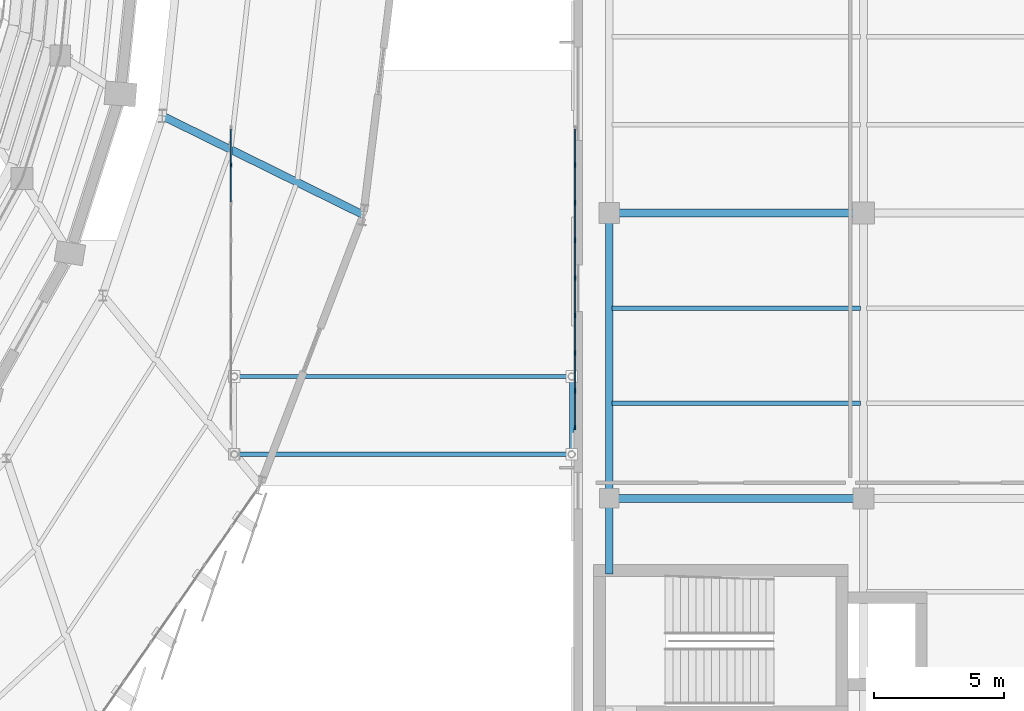
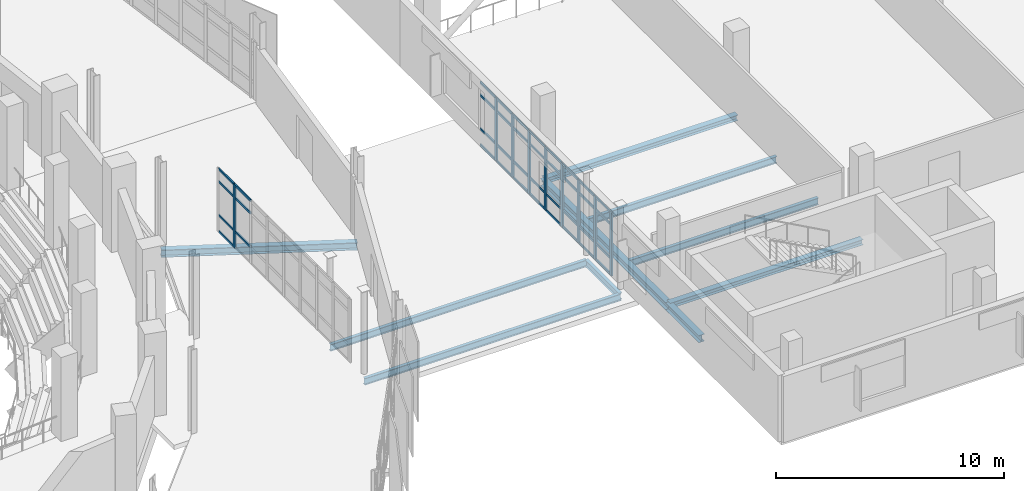
# One storey, part 69 of 134: 48 members, 10 beams, 2 elements without a shape of their own.
"""IFC4 building model written with IfcOpenShell, lengths in metres."""

from ifc_helpers import new_model, si_unit, direction, frame, origin, origin_2d, place, context, subcontext, project, spatial, rectangle, i_section, extrude, material, layer, layer_set, material_profile, profile_set, type_object, element, aggregate, save


model = new_model("IFC4")

# Units and contexts
model_context = context("Model", 3, precision=1e-05, world=origin(), true_north=direction((0.0, 1.0)))
body_context = subcontext(model_context, "Body", "Model", "MODEL_VIEW")
ifc_project = project(units=[si_unit("LENGTHUNIT", "METRE"), si_unit("AREAUNIT", "SQUARE_METRE"), si_unit("VOLUMEUNIT", "CUBIC_METRE"), si_unit("PLANEANGLEUNIT", "RADIAN"), si_unit("MASSUNIT", "GRAM", prefix="KILO")], contexts=[model_context])

# Site, building, storey
site_placement = place(None, origin())
site = spatial("IfcSite", under=ifc_project, at=site_placement, CompositionType="ELEMENT")
building_placement = place(site_placement, origin())
building = spatial("IfcBuilding", under=site, at=building_placement, Name="Sohan Crest Arena", CompositionType="ELEMENT")
storey_placement = place(building_placement, frame((0.0, 0.0, 4.5)))
storey = spatial("IfcBuildingStorey", under=building, at=storey_placement, Name="L01", CompositionType="ELEMENT", Elevation=4.5)

# Curtain wall, member
ifc_material_1 = material(Name="Thermally broken anodised aluminium", Category="aluminium")
ifc_layer = layer(ifc_material_1, 0.18994140625, Name="Thermally broken anodised aluminium")
ifc_layer_set = layer_set([ifc_layer], Name="Thermally broken anodised aluminium")
curtain_wall_type = type_object("IfcCurtainWallType", Name="ARC-CW05", PredefinedType="NOTDEFINED", material=ifc_layer_set)
curtain_wall_1_placement = place(storey_placement, origin())
curtain_wall_1 = element("IfcCurtainWall", 1, at=curtain_wall_1_placement, inside=storey, type_object=curtain_wall_type, Name="Unitised curtain wall CW-241", PredefinedType="NOTDEFINED")
ifc_material_profile_1 = material_profile(ifc_material_1, rectangle(XDim=0.06494140625, YDim=0.179931640625, at=origin_2d()), Name="ALU-MULL 65x180")
ifc_profile_set_1 = profile_set([ifc_material_profile_1], Name="Thermally broken anodised aluminium")
member_type_1 = type_object("IfcMemberType", Name="ARC-CW-ML02", PredefinedType="MULLION", material=ifc_profile_set_1)
member_1_placement = place(storey_placement, frame((181.6201171875, 68.85009765625, 0.0), z_axis=(0.0, 0.0, 1.0), x_axis=(-1.0, 0.0, 0.0)))
member_1 = element("IfcMember", 2, at=member_1_placement, type_object=member_type_1, Name="CW-241 mullion 8", PredefinedType="MULLION", context=body_context, shape_type="SweptSolid", body=[
    extrude(rectangle(XDim=0.06494140625, YDim=0.179931640625, at=origin_2d()), origin(), (0.0, 0.0, 1.0), 3.39990234375),
])

# Curtain wall, members
curtain_wall_2_placement = place(storey_placement, origin())
curtain_wall_2 = element("IfcCurtainWall", 3, at=curtain_wall_2_placement, inside=storey, type_object=curtain_wall_type, Name="Unitised curtain wall CW-242", PredefinedType="NOTDEFINED")
member_2_placement = place(storey_placement, frame((194.8798828125, 58.732421875, 0.0), z_axis=(0.0, 0.0, 1.0), x_axis=(-1.0, 0.0, 0.0)))
member_2 = element("IfcMember", 4, at=member_2_placement, type_object=member_type_1, Name="CW-242 mullion 1", PredefinedType="MULLION", context=body_context, shape_type="SweptSolid", body=[
    extrude(rectangle(XDim=0.06494140625, YDim=0.179931640625, at=origin_2d()), origin(), (0.0, 0.0, 1.0), 3.39990234375),
])
member_3_placement = place(storey_placement, frame((194.8798828125, 60.14990234375, 0.0), z_axis=(0.0, 0.0, 1.0), x_axis=(-1.0, 0.0, 0.0)))
member_3 = element("IfcMember", 5, at=member_3_placement, type_object=member_type_1, Name="CW-242 mullion 2", PredefinedType="MULLION", context=body_context, shape_type="SweptSolid", body=[
    extrude(rectangle(XDim=0.06494140625, YDim=0.179931640625, at=origin_2d()), origin(), (0.0, 0.0, 1.0), 3.39990234375),
])
member_4_placement = place(storey_placement, frame((194.8798828125, 61.60009765625, 0.0), z_axis=(0.0, 0.0, 1.0), x_axis=(-1.0, 0.0, 0.0)))
member_4 = element("IfcMember", 6, at=member_4_placement, type_object=member_type_1, Name="CW-242 mullion 3", PredefinedType="MULLION", context=body_context, shape_type="SweptSolid", body=[
    extrude(rectangle(XDim=0.06494140625, YDim=0.179931640625, at=origin_2d()), origin(), (0.0, 0.0, 1.0), 3.39990234375),
])
member_5_placement = place(storey_placement, frame((194.8798828125, 63.050048828125, 0.0), z_axis=(0.0, 0.0, 1.0), x_axis=(-1.0, 0.0, 0.0)))
member_5 = element("IfcMember", 7, at=member_5_placement, type_object=member_type_1, Name="CW-242 mullion 4", PredefinedType="MULLION", context=body_context, shape_type="SweptSolid", body=[
    extrude(rectangle(XDim=0.06494140625, YDim=0.179931640625, at=origin_2d()), origin(), (0.0, 0.0, 1.0), 3.39990234375),
])
member_6_placement = place(storey_placement, frame((194.8798828125, 64.5, 0.0), z_axis=(0.0, 0.0, 1.0), x_axis=(-1.0, 0.0, 0.0)))
member_6 = element("IfcMember", 8, at=member_6_placement, type_object=member_type_1, Name="CW-242 mullion 5", PredefinedType="MULLION", context=body_context, shape_type="SweptSolid", body=[
    extrude(rectangle(XDim=0.06494140625, YDim=0.179931640625, at=origin_2d()), origin(), (0.0, 0.0, 1.0), 3.39990234375),
])
member_7_placement = place(storey_placement, frame((194.8798828125, 65.949951171875, 0.0), z_axis=(0.0, 0.0, 1.0), x_axis=(-1.0, 0.0, 0.0)))
member_7 = element("IfcMember", 9, at=member_7_placement, type_object=member_type_1, Name="CW-242 mullion 6", PredefinedType="MULLION", context=body_context, shape_type="SweptSolid", body=[
    extrude(rectangle(XDim=0.06494140625, YDim=0.179931640625, at=origin_2d()), origin(), (0.0, 0.0, 1.0), 3.39990234375),
])
member_8_placement = place(storey_placement, frame((194.8798828125, 67.39990234375, 0.0), z_axis=(0.0, 0.0, 1.0), x_axis=(-1.0, 0.0, 0.0)))
member_8 = element("IfcMember", 10, at=member_8_placement, type_object=member_type_1, Name="CW-242 mullion 7", PredefinedType="MULLION", context=body_context, shape_type="SweptSolid", body=[
    extrude(rectangle(XDim=0.06494140625, YDim=0.179931640625, at=origin_2d()), origin(), (0.0, 0.0, 1.0), 3.39990234375),
])
member_9_placement = place(storey_placement, frame((194.8798828125, 68.85009765625, 0.0), z_axis=(0.0, 0.0, 1.0), x_axis=(-1.0, 0.0, 0.0)))
member_9 = element("IfcMember", 11, at=member_9_placement, type_object=member_type_1, Name="CW-242 mullion 8", PredefinedType="MULLION", context=body_context, shape_type="SweptSolid", body=[
    extrude(rectangle(XDim=0.06494140625, YDim=0.179931640625, at=origin_2d()), origin(), (0.0, 0.0, 1.0), 3.39990234375),
])

# Member
ifc_material_profile_2 = material_profile(ifc_material_1, rectangle(XDim=0.06005859375, YDim=0.1201171875, at=origin_2d()), Name="ALU-TRAN 60x120")
ifc_profile_set_2 = profile_set([ifc_material_profile_2], Name="Thermally broken anodised aluminium")
member_type_2 = type_object("IfcMemberType", Name="ARC-CW-TR01", PredefinedType="USERDEFINED", material=ifc_profile_set_2)
member_10_placement = place(storey_placement, frame((181.6201171875, 67.4326171875, 0.89990234375), z_axis=(0.0, 1.0, 0.0), x_axis=(-1.0, 0.0, 0.0)))
member_10 = element("IfcMember", 12, at=member_10_placement, type_object=member_type_2, Name="CW-241 transom 7.2", ObjectType="TRANSOM", PredefinedType="USERDEFINED", context=body_context, shape_type="SweptSolid", body=[
    extrude(rectangle(XDim=0.06005859375, YDim=0.1201171875, at=origin_2d()), origin(), (0.0, 0.0, 1.0), 1.384765625),
])

member_11_placement = place(storey_placement, frame((181.6201171875, 67.4326171875, 2.699951171875), z_axis=(0.0, 1.0, 0.0), x_axis=(-1.0, 0.0, 0.0)))
member_11 = element("IfcMember", 13, at=member_11_placement, type_object=member_type_2, Name="CW-241 transom 7.3", ObjectType="TRANSOM", PredefinedType="USERDEFINED", context=body_context, shape_type="SweptSolid", body=[
    extrude(rectangle(XDim=0.06005859375, YDim=0.1201171875, at=origin_2d()), origin(), (0.0, 0.0, 1.0), 1.384765625),
])

member_12_placement = place(storey_placement, frame((181.6201171875, 67.4326171875, 3.3701171875), z_axis=(0.0, 1.0, 0.0), x_axis=(-1.0, 0.0, 0.0)))
member_12 = element("IfcMember", 14, at=member_12_placement, type_object=member_type_2, Name="CW-241 transom 7.4", ObjectType="TRANSOM", PredefinedType="USERDEFINED", context=body_context, shape_type="SweptSolid", body=[
    extrude(rectangle(XDim=0.06005859375, YDim=0.1201171875, at=origin_2d()), origin(), (0.0, 0.0, 1.0), 1.384765625),
])

member_13_placement = place(storey_placement, frame((181.6201171875, 68.882568359375, 0.030029296875), z_axis=(0.0, 1.0, 0.0), x_axis=(-1.0, 0.0, 0.0)))
member_13 = element("IfcMember", 15, at=member_13_placement, type_object=member_type_2, Name="CW-241 transom 8.1", ObjectType="TRANSOM", PredefinedType="USERDEFINED", context=body_context, shape_type="SweptSolid", body=[
    extrude(rectangle(XDim=0.06005859375, YDim=0.1201171875, at=origin_2d()), origin(), (0.0, 0.0, 1.0), 1.3525390625),
])

member_14_placement = place(storey_placement, frame((181.6201171875, 68.882568359375, 0.89990234375), z_axis=(0.0, 1.0, 0.0), x_axis=(-1.0, 0.0, 0.0)))
member_14 = element("IfcMember", 16, at=member_14_placement, type_object=member_type_2, Name="CW-241 transom 8.2", ObjectType="TRANSOM", PredefinedType="USERDEFINED", context=body_context, shape_type="SweptSolid", body=[
    extrude(rectangle(XDim=0.06005859375, YDim=0.1201171875, at=origin_2d()), origin(), (0.0, 0.0, 1.0), 1.3525390625),
])

member_15_placement = place(storey_placement, frame((181.6201171875, 68.882568359375, 2.699951171875), z_axis=(0.0, 1.0, 0.0), x_axis=(-1.0, 0.0, 0.0)))
member_15 = element("IfcMember", 17, at=member_15_placement, type_object=member_type_2, Name="CW-241 transom 8.3", ObjectType="TRANSOM", PredefinedType="USERDEFINED", context=body_context, shape_type="SweptSolid", body=[
    extrude(rectangle(XDim=0.06005859375, YDim=0.1201171875, at=origin_2d()), origin(), (0.0, 0.0, 1.0), 1.3525390625),
])

member_16_placement = place(storey_placement, frame((181.6201171875, 68.882568359375, 3.3701171875), z_axis=(0.0, 1.0, 0.0), x_axis=(-1.0, 0.0, 0.0)))
member_16 = element("IfcMember", 18, at=member_16_placement, type_object=member_type_2, Name="CW-241 transom 8.4", ObjectType="TRANSOM", PredefinedType="USERDEFINED", context=body_context, shape_type="SweptSolid", body=[
    extrude(rectangle(XDim=0.06005859375, YDim=0.1201171875, at=origin_2d()), origin(), (0.0, 0.0, 1.0), 1.3525390625),
])

aggregate(curtain_wall_1, [member_1, member_10, member_11, member_12, member_13, member_14, member_15, member_16])

member_17_placement = place(storey_placement, frame((194.8798828125, 58.764892578125, 0.030029296875), z_axis=(0.0, 1.0, 0.0), x_axis=(-1.0, 0.0, 0.0)))
member_17 = element("IfcMember", 19, at=member_17_placement, type_object=member_type_2, Name="CW-242 transom 1.1", ObjectType="TRANSOM", PredefinedType="USERDEFINED", context=body_context, shape_type="SweptSolid", body=[
    extrude(rectangle(XDim=0.06005859375, YDim=0.1201171875, at=origin_2d()), origin(), (0.0, 0.0, 1.0), 1.3525390625),
])

member_18_placement = place(storey_placement, frame((194.8798828125, 58.764892578125, 0.89990234375), z_axis=(0.0, 1.0, 0.0), x_axis=(-1.0, 0.0, 0.0)))
member_18 = element("IfcMember", 20, at=member_18_placement, type_object=member_type_2, Name="CW-242 transom 1.2", ObjectType="TRANSOM", PredefinedType="USERDEFINED", context=body_context, shape_type="SweptSolid", body=[
    extrude(rectangle(XDim=0.06005859375, YDim=0.1201171875, at=origin_2d()), origin(), (0.0, 0.0, 1.0), 1.3525390625),
])

member_19_placement = place(storey_placement, frame((194.8798828125, 58.764892578125, 2.699951171875), z_axis=(0.0, 1.0, 0.0), x_axis=(-1.0, 0.0, 0.0)))
member_19 = element("IfcMember", 21, at=member_19_placement, type_object=member_type_2, Name="CW-242 transom 1.3", ObjectType="TRANSOM", PredefinedType="USERDEFINED", context=body_context, shape_type="SweptSolid", body=[
    extrude(rectangle(XDim=0.06005859375, YDim=0.1201171875, at=origin_2d()), origin(), (0.0, 0.0, 1.0), 1.3525390625),
])

member_20_placement = place(storey_placement, frame((194.8798828125, 58.764892578125, 3.3701171875), z_axis=(0.0, 1.0, 0.0), x_axis=(-1.0, 0.0, 0.0)))
member_20 = element("IfcMember", 22, at=member_20_placement, type_object=member_type_2, Name="CW-242 transom 1.4", ObjectType="TRANSOM", PredefinedType="USERDEFINED", context=body_context, shape_type="SweptSolid", body=[
    extrude(rectangle(XDim=0.06005859375, YDim=0.1201171875, at=origin_2d()), origin(), (0.0, 0.0, 1.0), 1.3525390625),
])

member_21_placement = place(storey_placement, frame((194.8798828125, 60.1826171875, 0.030029296875), z_axis=(0.0, 1.0, 0.0), x_axis=(-1.0, 0.0, 0.0)))
member_21 = element("IfcMember", 23, at=member_21_placement, type_object=member_type_2, Name="CW-242 transom 2.1", ObjectType="TRANSOM", PredefinedType="USERDEFINED", context=body_context, shape_type="SweptSolid", body=[
    extrude(rectangle(XDim=0.06005859375, YDim=0.1201171875, at=origin_2d()), origin(), (0.0, 0.0, 1.0), 1.384765625),
])

member_22_placement = place(storey_placement, frame((194.8798828125, 60.1826171875, 0.89990234375), z_axis=(0.0, 1.0, 0.0), x_axis=(-1.0, 0.0, 0.0)))
member_22 = element("IfcMember", 24, at=member_22_placement, type_object=member_type_2, Name="CW-242 transom 2.2", ObjectType="TRANSOM", PredefinedType="USERDEFINED", context=body_context, shape_type="SweptSolid", body=[
    extrude(rectangle(XDim=0.06005859375, YDim=0.1201171875, at=origin_2d()), origin(), (0.0, 0.0, 1.0), 1.384765625),
])

member_23_placement = place(storey_placement, frame((194.8798828125, 60.1826171875, 2.699951171875), z_axis=(0.0, 1.0, 0.0), x_axis=(-1.0, 0.0, 0.0)))
member_23 = element("IfcMember", 25, at=member_23_placement, type_object=member_type_2, Name="CW-242 transom 2.3", ObjectType="TRANSOM", PredefinedType="USERDEFINED", context=body_context, shape_type="SweptSolid", body=[
    extrude(rectangle(XDim=0.06005859375, YDim=0.1201171875, at=origin_2d()), origin(), (0.0, 0.0, 1.0), 1.384765625),
])

member_24_placement = place(storey_placement, frame((194.8798828125, 60.1826171875, 3.3701171875), z_axis=(0.0, 1.0, 0.0), x_axis=(-1.0, 0.0, 0.0)))
member_24 = element("IfcMember", 26, at=member_24_placement, type_object=member_type_2, Name="CW-242 transom 2.4", ObjectType="TRANSOM", PredefinedType="USERDEFINED", context=body_context, shape_type="SweptSolid", body=[
    extrude(rectangle(XDim=0.06005859375, YDim=0.1201171875, at=origin_2d()), origin(), (0.0, 0.0, 1.0), 1.384765625),
])

member_25_placement = place(storey_placement, frame((194.8798828125, 61.632568359375, 0.030029296875), z_axis=(0.0, 1.0, 0.0), x_axis=(-1.0, 0.0, 0.0)))
member_25 = element("IfcMember", 27, at=member_25_placement, type_object=member_type_2, Name="CW-242 transom 3.1", ObjectType="TRANSOM", PredefinedType="USERDEFINED", context=body_context, shape_type="SweptSolid", body=[
    extrude(rectangle(XDim=0.06005859375, YDim=0.1201171875, at=origin_2d()), origin(), (0.0, 0.0, 1.0), 1.385009765625),
])

member_26_placement = place(storey_placement, frame((194.8798828125, 61.632568359375, 0.89990234375), z_axis=(0.0, 1.0, 0.0), x_axis=(-1.0, 0.0, 0.0)))
member_26 = element("IfcMember", 28, at=member_26_placement, type_object=member_type_2, Name="CW-242 transom 3.2", ObjectType="TRANSOM", PredefinedType="USERDEFINED", context=body_context, shape_type="SweptSolid", body=[
    extrude(rectangle(XDim=0.06005859375, YDim=0.1201171875, at=origin_2d()), origin(), (0.0, 0.0, 1.0), 1.385009765625),
])

member_27_placement = place(storey_placement, frame((194.8798828125, 61.632568359375, 2.699951171875), z_axis=(0.0, 1.0, 0.0), x_axis=(-1.0, 0.0, 0.0)))
member_27 = element("IfcMember", 29, at=member_27_placement, type_object=member_type_2, Name="CW-242 transom 3.3", ObjectType="TRANSOM", PredefinedType="USERDEFINED", context=body_context, shape_type="SweptSolid", body=[
    extrude(rectangle(XDim=0.06005859375, YDim=0.1201171875, at=origin_2d()), origin(), (0.0, 0.0, 1.0), 1.385009765625),
])

member_28_placement = place(storey_placement, frame((194.8798828125, 61.632568359375, 3.3701171875), z_axis=(0.0, 1.0, 0.0), x_axis=(-1.0, 0.0, 0.0)))
member_28 = element("IfcMember", 30, at=member_28_placement, type_object=member_type_2, Name="CW-242 transom 3.4", ObjectType="TRANSOM", PredefinedType="USERDEFINED", context=body_context, shape_type="SweptSolid", body=[
    extrude(rectangle(XDim=0.06005859375, YDim=0.1201171875, at=origin_2d()), origin(), (0.0, 0.0, 1.0), 1.385009765625),
])

member_29_placement = place(storey_placement, frame((194.8798828125, 63.08251953125, 0.030029296875), z_axis=(0.0, 1.0, 0.0), x_axis=(-1.0, 0.0, 0.0)))
member_29 = element("IfcMember", 31, at=member_29_placement, type_object=member_type_2, Name="CW-242 transom 4.1", ObjectType="TRANSOM", PredefinedType="USERDEFINED", context=body_context, shape_type="SweptSolid", body=[
    extrude(rectangle(XDim=0.06005859375, YDim=0.1201171875, at=origin_2d()), origin(), (0.0, 0.0, 1.0), 1.385009765625),
])

member_30_placement = place(storey_placement, frame((194.8798828125, 63.08251953125, 0.89990234375), z_axis=(0.0, 1.0, 0.0), x_axis=(-1.0, 0.0, 0.0)))
member_30 = element("IfcMember", 32, at=member_30_placement, type_object=member_type_2, Name="CW-242 transom 4.2", ObjectType="TRANSOM", PredefinedType="USERDEFINED", context=body_context, shape_type="SweptSolid", body=[
    extrude(rectangle(XDim=0.06005859375, YDim=0.1201171875, at=origin_2d()), origin(), (0.0, 0.0, 1.0), 1.385009765625),
])

member_31_placement = place(storey_placement, frame((194.8798828125, 63.08251953125, 2.699951171875), z_axis=(0.0, 1.0, 0.0), x_axis=(-1.0, 0.0, 0.0)))
member_31 = element("IfcMember", 33, at=member_31_placement, type_object=member_type_2, Name="CW-242 transom 4.3", ObjectType="TRANSOM", PredefinedType="USERDEFINED", context=body_context, shape_type="SweptSolid", body=[
    extrude(rectangle(XDim=0.06005859375, YDim=0.1201171875, at=origin_2d()), origin(), (0.0, 0.0, 1.0), 1.385009765625),
])

member_32_placement = place(storey_placement, frame((194.8798828125, 63.08251953125, 3.3701171875), z_axis=(0.0, 1.0, 0.0), x_axis=(-1.0, 0.0, 0.0)))
member_32 = element("IfcMember", 34, at=member_32_placement, type_object=member_type_2, Name="CW-242 transom 4.4", ObjectType="TRANSOM", PredefinedType="USERDEFINED", context=body_context, shape_type="SweptSolid", body=[
    extrude(rectangle(XDim=0.06005859375, YDim=0.1201171875, at=origin_2d()), origin(), (0.0, 0.0, 1.0), 1.385009765625),
])

member_33_placement = place(storey_placement, frame((194.8798828125, 64.532470703125, 0.030029296875), z_axis=(0.0, 1.0, 0.0), x_axis=(-1.0, 0.0, 0.0)))
member_33 = element("IfcMember", 35, at=member_33_placement, type_object=member_type_2, Name="CW-242 transom 5.1", ObjectType="TRANSOM", PredefinedType="USERDEFINED", context=body_context, shape_type="SweptSolid", body=[
    extrude(rectangle(XDim=0.06005859375, YDim=0.1201171875, at=origin_2d()), origin(), (0.0, 0.0, 1.0), 1.385009765625),
])

member_34_placement = place(storey_placement, frame((194.8798828125, 64.532470703125, 0.89990234375), z_axis=(0.0, 1.0, 0.0), x_axis=(-1.0, 0.0, 0.0)))
member_34 = element("IfcMember", 36, at=member_34_placement, type_object=member_type_2, Name="CW-242 transom 5.2", ObjectType="TRANSOM", PredefinedType="USERDEFINED", context=body_context, shape_type="SweptSolid", body=[
    extrude(rectangle(XDim=0.06005859375, YDim=0.1201171875, at=origin_2d()), origin(), (0.0, 0.0, 1.0), 1.385009765625),
])

member_35_placement = place(storey_placement, frame((194.8798828125, 64.532470703125, 2.699951171875), z_axis=(0.0, 1.0, 0.0), x_axis=(-1.0, 0.0, 0.0)))
member_35 = element("IfcMember", 37, at=member_35_placement, type_object=member_type_2, Name="CW-242 transom 5.3", ObjectType="TRANSOM", PredefinedType="USERDEFINED", context=body_context, shape_type="SweptSolid", body=[
    extrude(rectangle(XDim=0.06005859375, YDim=0.1201171875, at=origin_2d()), origin(), (0.0, 0.0, 1.0), 1.385009765625),
])

member_36_placement = place(storey_placement, frame((194.8798828125, 64.532470703125, 3.3701171875), z_axis=(0.0, 1.0, 0.0), x_axis=(-1.0, 0.0, 0.0)))
member_36 = element("IfcMember", 38, at=member_36_placement, type_object=member_type_2, Name="CW-242 transom 5.4", ObjectType="TRANSOM", PredefinedType="USERDEFINED", context=body_context, shape_type="SweptSolid", body=[
    extrude(rectangle(XDim=0.06005859375, YDim=0.1201171875, at=origin_2d()), origin(), (0.0, 0.0, 1.0), 1.385009765625),
])

member_37_placement = place(storey_placement, frame((194.8798828125, 65.982421875, 0.030029296875), z_axis=(0.0, 1.0, 0.0), x_axis=(-1.0, 0.0, 0.0)))
member_37 = element("IfcMember", 39, at=member_37_placement, type_object=member_type_2, Name="CW-242 transom 6.1", ObjectType="TRANSOM", PredefinedType="USERDEFINED", context=body_context, shape_type="SweptSolid", body=[
    extrude(rectangle(XDim=0.06005859375, YDim=0.1201171875, at=origin_2d()), origin(), (0.0, 0.0, 1.0), 1.385009765625),
])

member_38_placement = place(storey_placement, frame((194.8798828125, 65.982421875, 0.89990234375), z_axis=(0.0, 1.0, 0.0), x_axis=(-1.0, 0.0, 0.0)))
member_38 = element("IfcMember", 40, at=member_38_placement, type_object=member_type_2, Name="CW-242 transom 6.2", ObjectType="TRANSOM", PredefinedType="USERDEFINED", context=body_context, shape_type="SweptSolid", body=[
    extrude(rectangle(XDim=0.06005859375, YDim=0.1201171875, at=origin_2d()), origin(), (0.0, 0.0, 1.0), 1.385009765625),
])

member_39_placement = place(storey_placement, frame((194.8798828125, 65.982421875, 2.699951171875), z_axis=(0.0, 1.0, 0.0), x_axis=(-1.0, 0.0, 0.0)))
member_39 = element("IfcMember", 41, at=member_39_placement, type_object=member_type_2, Name="CW-242 transom 6.3", ObjectType="TRANSOM", PredefinedType="USERDEFINED", context=body_context, shape_type="SweptSolid", body=[
    extrude(rectangle(XDim=0.06005859375, YDim=0.1201171875, at=origin_2d()), origin(), (0.0, 0.0, 1.0), 1.385009765625),
])

member_40_placement = place(storey_placement, frame((194.8798828125, 65.982421875, 3.3701171875), z_axis=(0.0, 1.0, 0.0), x_axis=(-1.0, 0.0, 0.0)))
member_40 = element("IfcMember", 42, at=member_40_placement, type_object=member_type_2, Name="CW-242 transom 6.4", ObjectType="TRANSOM", PredefinedType="USERDEFINED", context=body_context, shape_type="SweptSolid", body=[
    extrude(rectangle(XDim=0.06005859375, YDim=0.1201171875, at=origin_2d()), origin(), (0.0, 0.0, 1.0), 1.385009765625),
])

member_41_placement = place(storey_placement, frame((194.8798828125, 67.4326171875, 0.030029296875), z_axis=(0.0, 1.0, 0.0), x_axis=(-1.0, 0.0, 0.0)))
member_41 = element("IfcMember", 43, at=member_41_placement, type_object=member_type_2, Name="CW-242 transom 7.1", ObjectType="TRANSOM", PredefinedType="USERDEFINED", context=body_context, shape_type="SweptSolid", body=[
    extrude(rectangle(XDim=0.06005859375, YDim=0.1201171875, at=origin_2d()), origin(), (0.0, 0.0, 1.0), 1.384765625),
])

member_42_placement = place(storey_placement, frame((194.8798828125, 67.4326171875, 0.89990234375), z_axis=(0.0, 1.0, 0.0), x_axis=(-1.0, 0.0, 0.0)))
member_42 = element("IfcMember", 44, at=member_42_placement, type_object=member_type_2, Name="CW-242 transom 7.2", ObjectType="TRANSOM", PredefinedType="USERDEFINED", context=body_context, shape_type="SweptSolid", body=[
    extrude(rectangle(XDim=0.06005859375, YDim=0.1201171875, at=origin_2d()), origin(), (0.0, 0.0, 1.0), 1.384765625),
])

member_43_placement = place(storey_placement, frame((194.8798828125, 67.4326171875, 2.699951171875), z_axis=(0.0, 1.0, 0.0), x_axis=(-1.0, 0.0, 0.0)))
member_43 = element("IfcMember", 45, at=member_43_placement, type_object=member_type_2, Name="CW-242 transom 7.3", ObjectType="TRANSOM", PredefinedType="USERDEFINED", context=body_context, shape_type="SweptSolid", body=[
    extrude(rectangle(XDim=0.06005859375, YDim=0.1201171875, at=origin_2d()), origin(), (0.0, 0.0, 1.0), 1.384765625),
])

member_44_placement = place(storey_placement, frame((194.8798828125, 67.4326171875, 3.3701171875), z_axis=(0.0, 1.0, 0.0), x_axis=(-1.0, 0.0, 0.0)))
member_44 = element("IfcMember", 46, at=member_44_placement, type_object=member_type_2, Name="CW-242 transom 7.4", ObjectType="TRANSOM", PredefinedType="USERDEFINED", context=body_context, shape_type="SweptSolid", body=[
    extrude(rectangle(XDim=0.06005859375, YDim=0.1201171875, at=origin_2d()), origin(), (0.0, 0.0, 1.0), 1.384765625),
])

member_45_placement = place(storey_placement, frame((194.8798828125, 68.882568359375, 0.030029296875), z_axis=(0.0, 1.0, 0.0), x_axis=(-1.0, 0.0, 0.0)))
member_45 = element("IfcMember", 47, at=member_45_placement, type_object=member_type_2, Name="CW-242 transom 8.1", ObjectType="TRANSOM", PredefinedType="USERDEFINED", context=body_context, shape_type="SweptSolid", body=[
    extrude(rectangle(XDim=0.06005859375, YDim=0.1201171875, at=origin_2d()), origin(), (0.0, 0.0, 1.0), 1.3525390625),
])

member_46_placement = place(storey_placement, frame((194.8798828125, 68.882568359375, 0.89990234375), z_axis=(0.0, 1.0, 0.0), x_axis=(-1.0, 0.0, 0.0)))
member_46 = element("IfcMember", 48, at=member_46_placement, type_object=member_type_2, Name="CW-242 transom 8.2", ObjectType="TRANSOM", PredefinedType="USERDEFINED", context=body_context, shape_type="SweptSolid", body=[
    extrude(rectangle(XDim=0.06005859375, YDim=0.1201171875, at=origin_2d()), origin(), (0.0, 0.0, 1.0), 1.3525390625),
])

member_47_placement = place(storey_placement, frame((194.8798828125, 68.882568359375, 2.699951171875), z_axis=(0.0, 1.0, 0.0), x_axis=(-1.0, 0.0, 0.0)))
member_47 = element("IfcMember", 49, at=member_47_placement, type_object=member_type_2, Name="CW-242 transom 8.3", ObjectType="TRANSOM", PredefinedType="USERDEFINED", context=body_context, shape_type="SweptSolid", body=[
    extrude(rectangle(XDim=0.06005859375, YDim=0.1201171875, at=origin_2d()), origin(), (0.0, 0.0, 1.0), 1.3525390625),
])

member_48_placement = place(storey_placement, frame((194.8798828125, 68.882568359375, 3.3701171875), z_axis=(0.0, 1.0, 0.0), x_axis=(-1.0, 0.0, 0.0)))
member_48 = element("IfcMember", 50, at=member_48_placement, type_object=member_type_2, Name="CW-242 transom 8.4", ObjectType="TRANSOM", PredefinedType="USERDEFINED", context=body_context, shape_type="SweptSolid", body=[
    extrude(rectangle(XDim=0.06005859375, YDim=0.1201171875, at=origin_2d()), origin(), (0.0, 0.0, 1.0), 1.3525390625),
])

aggregate(curtain_wall_2, [member_2, member_3, member_4, member_5, member_6, member_7, member_8, member_9, member_17, member_18, member_19, member_20, member_21, member_22, member_23, member_24, member_25, member_26, member_27, member_28, member_29, member_30, member_31, member_32, member_33, member_34, member_35, member_36, member_37, member_38, member_39, member_40, member_41, member_42, member_43, member_44, member_45, member_46, member_47, member_48])

# Beams
ifc_material_2 = material(Name="Steel S355", Category="steel")
ifc_material_profile_3 = material_profile(ifc_material_2, i_section(OverallWidth=0.169921875, OverallDepth=0.360107421875, WebThickness=0.008056640625, FlangeThickness=0.0126953125, at=origin_2d()), Name="IPE 360")
ifc_profile_set_3 = profile_set([ifc_material_profile_3], Name="Steel S355")
beam_type_1 = type_object("IfcBeamType", Name="STR-BM-B02", PredefinedType="JOIST", material=ifc_profile_set_3)
for number, where, z_axis, x_axis, name in (
    (51, (196.31005859375, 59.6669921875, -0.409912109375), (1.0, 0.0, 0.0), (0.0, 1.0, 0.0), "Structural beam J-L01-2284"),
    (52, (196.31005859375, 63.3330078125, -0.409912109375), (1.0, 0.0, 0.0), (0.0, 1.0, 0.0), "Structural beam J-L01-2285"),
):
    element("IfcBeam", number, at=place(storey_placement, frame(where, z_axis=z_axis, x_axis=x_axis)), inside=storey, type_object=beam_type_1, Name=name, PredefinedType="JOIST", context=body_context, shape_type="SweptSolid", body=[
        extrude(i_section(OverallWidth=0.169921875, OverallDepth=0.360107421875, WebThickness=0.008056640625, FlangeThickness=0.0126953125, at=origin_2d()), origin(), (0.0, 0.0, 1.0), 9.579833984375),
    ])
beam_1_placement = place(storey_placement, frame((194.75, 57.699951171875, -0.455078125), z_axis=(0.0, 1.0, 0.0), x_axis=(-1.0, 0.0, 0.0)))
element("IfcBeam", 53, at=beam_1_placement, inside=storey, type_object=beam_type_1, Name="Structural beam BG-L01-2965", PredefinedType="JOIST", context=body_context, shape_type="SweptSolid", body=[
    extrude(i_section(OverallWidth=0.169921875, OverallDepth=0.360107421875, WebThickness=0.008056640625, FlangeThickness=0.0126953125, at=origin_2d()), origin(), (0.0, 0.0, 1.0), 3.0),
])
for number, where, z_axis, x_axis, name in (
    (54, (181.75, 57.699951171875, -0.455078125), (1.0, 0.0, 0.0), (0.0, 1.0, 0.0), "Structural beam BG-L01-2966"),
    (55, (181.75, 60.699951171875, -0.455078125), (1.0, 0.0, 0.0), (0.0, 1.0, 0.0), "Structural beam BG-L01-2967"),
):
    element("IfcBeam", number, at=place(storey_placement, frame(where, z_axis=z_axis, x_axis=x_axis)), inside=storey, type_object=beam_type_1, Name=name, PredefinedType="JOIST", context=body_context, shape_type="SweptSolid", body=[
        extrude(i_section(OverallWidth=0.169921875, OverallDepth=0.360107421875, WebThickness=0.008056640625, FlangeThickness=0.0126953125, at=origin_2d()), origin(), (0.0, 0.0, 1.0), 13.0),
    ])
ifc_material_profile_4 = material_profile(ifc_material_2, i_section(OverallWidth=0.300048828125, OverallDepth=0.2900390625, WebThickness=0.008544921875, FlangeThickness=0.013916015625, at=origin_2d()), Name="HEA 300")
ifc_profile_set_4 = profile_set([ifc_material_profile_4], Name="Steel S355")
beam_type_2 = type_object("IfcBeamType", Name="STR-BM-B08", PredefinedType="BEAM", material=ifc_profile_set_4)
for number, where, z_axis, x_axis, name in (
    (56, (196.199951171875, 56.0, -0.375), (1.0, 0.0, 0.0), (0.0, 1.0, 0.0), "Structural beam G-L01-2283"),
    (57, (196.199951171875, 67.0, -0.375), (1.0, 0.0, 0.0), (0.0, 1.0, 0.0), "Structural beam G-L01-2292"),
):
    element("IfcBeam", number, at=place(storey_placement, frame(where, z_axis=z_axis, x_axis=x_axis)), inside=storey, type_object=beam_type_2, Name=name, PredefinedType="BEAM", context=body_context, shape_type="SweptSolid", body=[
        extrude(i_section(OverallWidth=0.300048828125, OverallDepth=0.2900390625, WebThickness=0.008544921875, FlangeThickness=0.013916015625, at=origin_2d()), origin(), (0.0, 0.0, 1.0), 9.800048828125),
    ])
ifc_material_profile_5 = material_profile(ifc_material_2, i_section(OverallWidth=0.300048828125, OverallDepth=0.389892578125, WebThickness=0.010986328125, FlangeThickness=0.01904296875, at=origin_2d()), Name="HEA 400")
ifc_profile_set_5 = profile_set([ifc_material_profile_5], Name="Steel S355")
beam_type_3 = type_object("IfcBeamType", Name="STR-BM-B09", PredefinedType="BEAM", material=ifc_profile_set_5)
beam_2_placement = place(storey_placement, frame((196.199951171875, 53.080078125, -0.425048828125), z_axis=(0.0, 1.0, 0.0), x_axis=(-1.0, 0.0, 0.0)))
element("IfcBeam", 58, at=beam_2_placement, inside=storey, type_object=beam_type_3, Name="Structural beam G-L01-2265", PredefinedType="BEAM", context=body_context, shape_type="SweptSolid", body=[
    extrude(i_section(OverallWidth=0.300048828125, OverallDepth=0.389892578125, WebThickness=0.010986328125, FlangeThickness=0.01904296875, at=origin_2d()), origin(), (0.0, 0.0, 1.0), 2.919921875),
])
beam_3_placement = place(storey_placement, frame((196.199951171875, 56.0, -0.425048828125), z_axis=(0.0, 1.0, 0.0), x_axis=(-1.0, 0.0, 0.0)))
element("IfcBeam", 59, at=beam_3_placement, inside=storey, type_object=beam_type_3, Name="Structural beam G-L01-2266", PredefinedType="BEAM", context=body_context, shape_type="SweptSolid", body=[
    extrude(i_section(OverallWidth=0.300048828125, OverallDepth=0.389892578125, WebThickness=0.010986328125, FlangeThickness=0.01904296875, at=origin_2d()), origin(), (0.0, 0.0, 1.0), 11.0),
])
ifc_material_profile_6 = material_profile(ifc_material_2, i_section(OverallWidth=0.300048828125, OverallDepth=0.39990234375, WebThickness=0.013427734375, FlangeThickness=0.02392578125, at=origin_2d()), Name="HEB 400")
ifc_profile_set_6 = profile_set([ifc_material_profile_6], Name="Steel S355")
beam_type_4 = type_object("IfcBeamType", Name="STR-BM-B13", PredefinedType="BEAM", material=ifc_profile_set_6)
beam_4_placement = place(storey_placement, frame((178.971923828125, 70.748046875, -0.47509765625), z_axis=(0.897117109087, -0.441792816356, 0.0), x_axis=(0.441792816356, 0.897117109087, 0.0)))
element("IfcBeam", 60, at=beam_4_placement, inside=storey, type_object=beam_type_4, Name="Structural beam G-L01-1187", PredefinedType="BEAM", context=body_context, shape_type="SweptSolid", body=[
    extrude(i_section(OverallWidth=0.300048828125, OverallDepth=0.39990234375, WebThickness=0.013427734375, FlangeThickness=0.02392578125, at=origin_2d()), origin(), (0.0, 0.0, 1.0), 8.642333984375),
])

save(model, "model.ifc")
